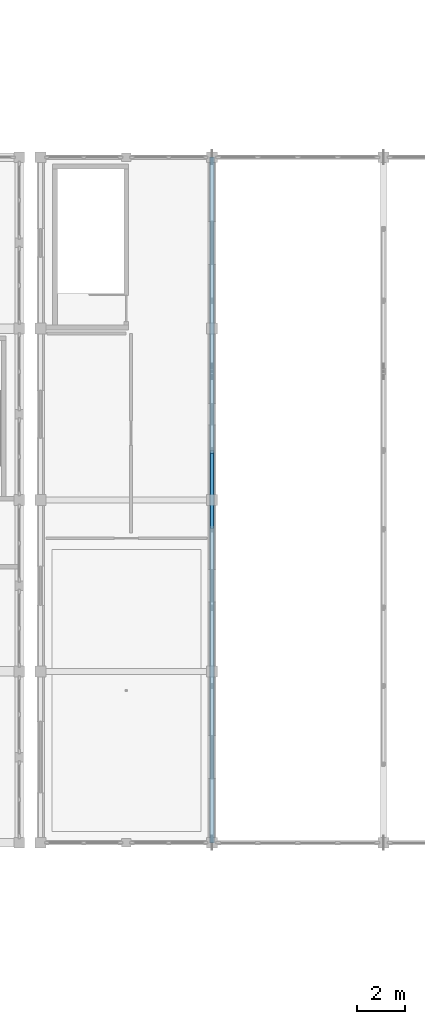
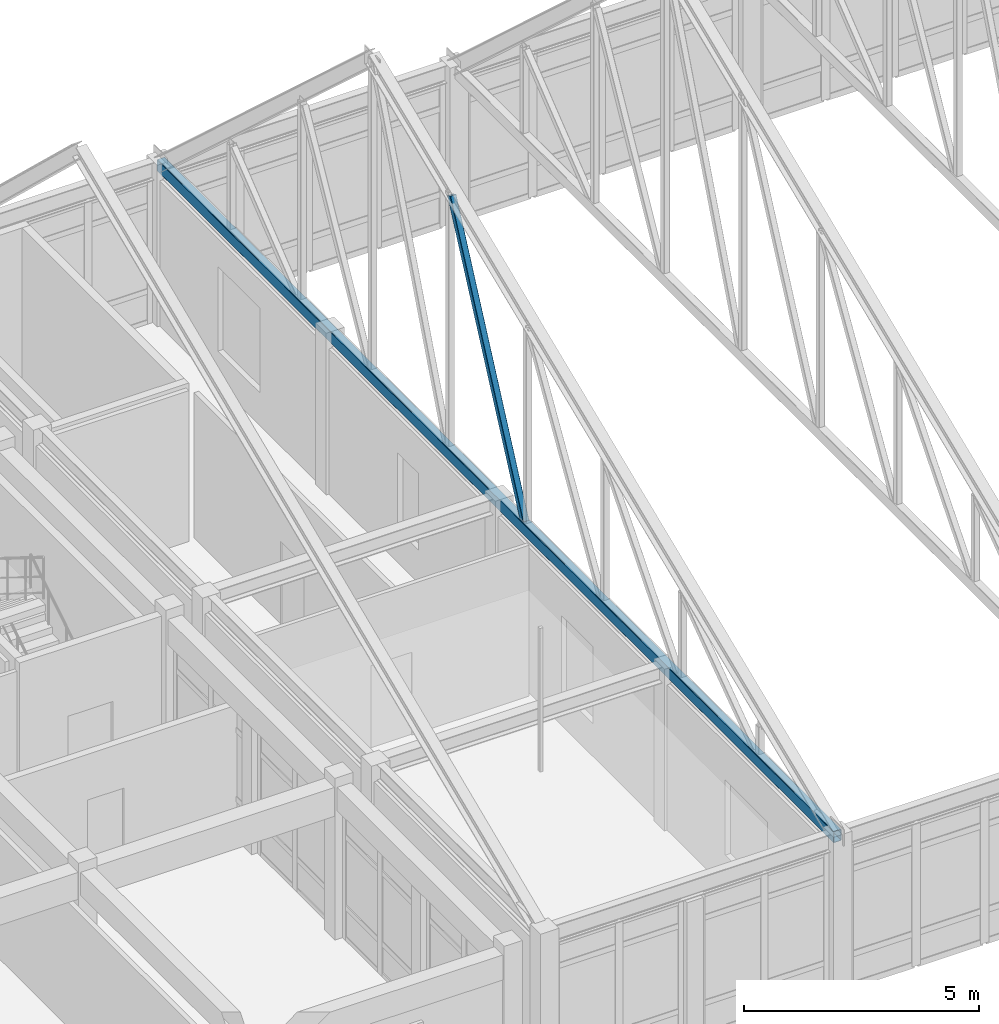
# One storey, part 20 of 136: 2 members.
"""IFC4 building model written with IfcOpenShell, lengths in metres."""

from ifc_helpers import new_model, si_unit, direction, frame, origin, origin_2d, place, context, subcontext, project, spatial, hollow_rectangle, extrude, material, material_profile, profile_set, type_object, element, save


model = new_model("IFC4")

# Units and contexts
model_context = context("Model", 3, precision=1e-05, world=origin(), true_north=direction((0.0, 1.0)))
body_context = subcontext(model_context, "Body", "Model", "MODEL_VIEW")
ifc_project = project(units=[si_unit("LENGTHUNIT", "METRE"), si_unit("AREAUNIT", "SQUARE_METRE"), si_unit("VOLUMEUNIT", "CUBIC_METRE"), si_unit("PLANEANGLEUNIT", "RADIAN"), si_unit("MASSUNIT", "GRAM", prefix="KILO")], contexts=[model_context])

# Site, building, storey
site_placement = place(None, origin())
site = spatial("IfcSite", under=ifc_project, at=site_placement, CompositionType="ELEMENT")
building_placement = place(site_placement, origin())
building = spatial("IfcBuilding", under=site, at=building_placement, Name="Koriwan Promenade Central Fire Station", CompositionType="ELEMENT")
storey_placement = place(building_placement, frame((0.0, 0.0, 5.39990234375)))
storey = spatial("IfcBuildingStorey", under=building, at=storey_placement, Name="L01", CompositionType="ELEMENT", Elevation=5.39990234375)

# Members
ifc_material = material(Name="Steel ASTM A500 Grade C", Category="steel")
ifc_material_profile_1 = material_profile(ifc_material, hollow_rectangle(XDim=0.199951171875, YDim=0.300048828125, WallThickness=0.011962890625, InnerFilletRadius=0.011962890625, OuterFilletRadius=0.02392578125, at=origin_2d()), Name="HSS300x200x12")
ifc_profile_set_1 = profile_set([ifc_material_profile_1], Name="Steel ASTM A500 Grade C")
member_type_1 = type_object("IfcMemberType", Name="Member_CHORD_HSS300x200x12", PredefinedType="CHORD", material=ifc_profile_set_1)
member_1_placement = place(storey_placement, frame((64.800048828125, 43.199951171875, 4.02001953125), z_axis=(0.0, 1.0, 0.0), x_axis=(-1.0, 0.0, 0.0)))
element("IfcMember", 1, at=member_1_placement, inside=storey, type_object=member_type_1, Name="TR_V1_02 bottom tie chord", PredefinedType="CHORD", context=body_context, shape_type="SweptSolid", body=[
    extrude(hollow_rectangle(XDim=0.199951171875, YDim=0.300048828125, WallThickness=0.011962890625, InnerFilletRadius=0.011962890625, OuterFilletRadius=0.02392578125, at=origin_2d()), origin(), (0.0, 0.0, 1.0), 28.800048828125),
])
ifc_material_profile_2 = material_profile(ifc_material, hollow_rectangle(XDim=0.14990234375, YDim=0.14990234375, WallThickness=0.008056640625, InnerFilletRadius=0.008056640625, OuterFilletRadius=0.01611328125, at=origin_2d()), Name="HSS150x150x8")
ifc_profile_set_2 = profile_set([ifc_material_profile_2], Name="Steel ASTM A500 Grade C")
member_type_2 = type_object("IfcMemberType", Name="Member_STRUT_HSS150x150x8", PredefinedType="STRUT", material=ifc_profile_set_2)
member_2_placement = place(storey_placement, frame((64.800048828125, 56.47998046875, 4.070068359375), z_axis=(0.0, 0.426803552064, 0.904344363583), x_axis=(-1.0, 0.0, 0.0)))
element("IfcMember", 2, at=member_2_placement, inside=storey, type_object=member_type_2, Name="TR_V1_02 web diagonal 5", PredefinedType="STRUT", context=body_context, shape_type="SweptSolid", body=[
    extrude(hollow_rectangle(XDim=0.14990234375, YDim=0.14990234375, WallThickness=0.008056640625, InnerFilletRadius=0.008056640625, OuterFilletRadius=0.01611328125, at=origin_2d()), origin(), (0.0, 0.0, 1.0), 7.357421875),
])

save(model, "model.ifc")
